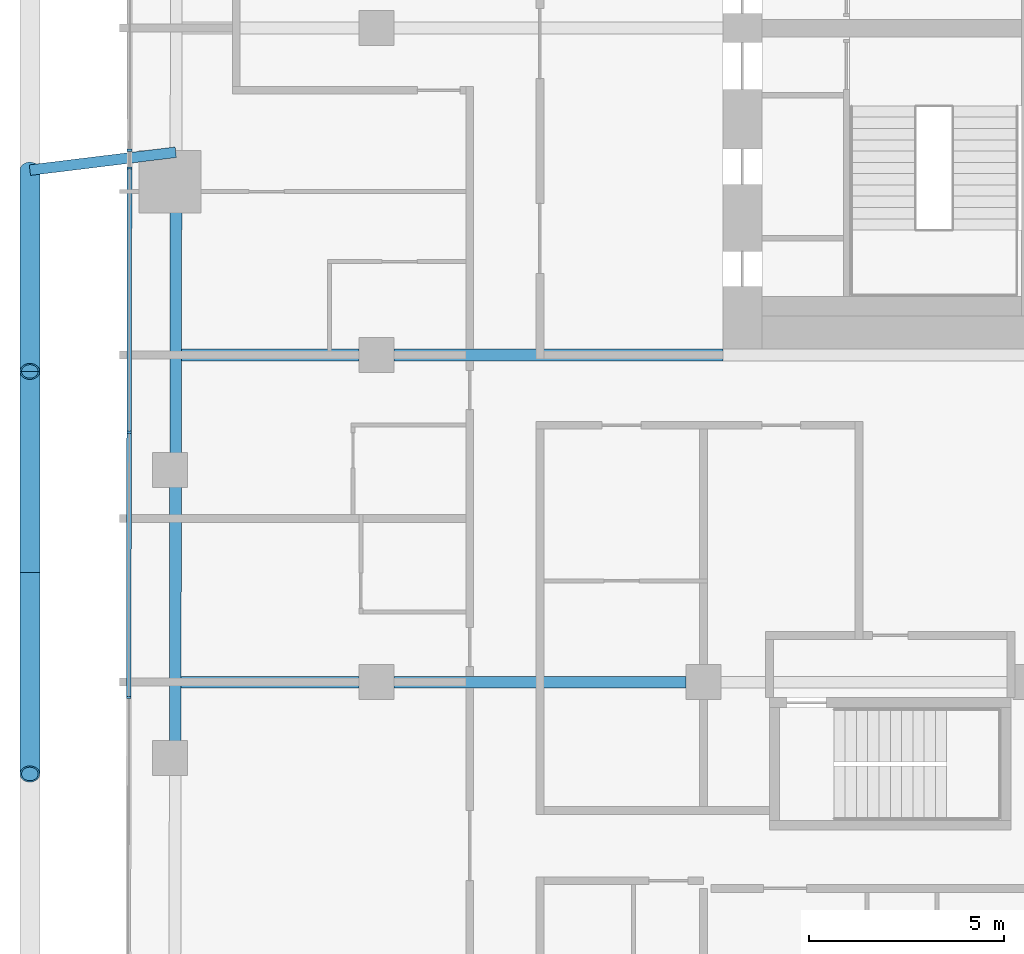
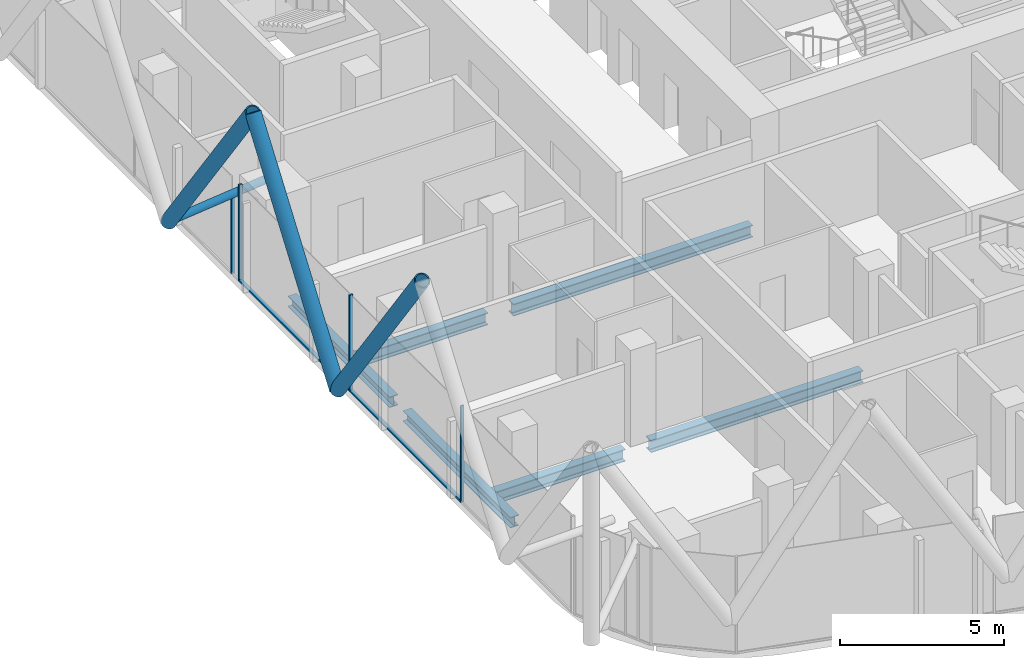
# One storey, part 4 of 36: 10 members, 6 beams, 2 elements without a shape of their own.
"""IFC4 building model written with IfcOpenShell, lengths in metres."""

from ifc_helpers import new_model, si_unit, direction, frame, origin, origin_2d, place, context, subcontext, project, spatial, rectangle, hollow_circle, i_section, extrude, material, layer, layer_set, material_profile, profile_set, type_object, element, aggregate, save


model = new_model("IFC4")

# Units and contexts
model_context = context("Model", 3, precision=1e-05, world=origin(), true_north=direction((0.0, 1.0)))
body_context = subcontext(model_context, "Body", "Model", "MODEL_VIEW")
ifc_project = project(units=[si_unit("LENGTHUNIT", "METRE"), si_unit("AREAUNIT", "SQUARE_METRE"), si_unit("VOLUMEUNIT", "CUBIC_METRE"), si_unit("PLANEANGLEUNIT", "RADIAN"), si_unit("MASSUNIT", "GRAM", prefix="KILO")], contexts=[model_context])

# Site, building, storey
site_placement = place(None, origin())
site = spatial("IfcSite", under=ifc_project, at=site_placement, CompositionType="ELEMENT")
building_placement = place(site_placement, origin())
building = spatial("IfcBuilding", under=site, at=building_placement, Name="Marenta Gate Hotel Tower", CompositionType="ELEMENT")
storey_placement = place(building_placement, frame((0.0, 0.0, 158.89990234375)))
storey = spatial("IfcBuildingStorey", under=building, at=storey_placement, Name="L37", CompositionType="ELEMENT", Elevation=158.89990234375)

# Members
ifc_material_1 = material(Name="Steel S355J2W", Category="steel")
ifc_material_profile_1 = material_profile(ifc_material_1, hollow_circle(Radius=0.25390625, WallThickness=0.0400390625, at=origin_2d()), Name="CHS 508x40")
ifc_profile_set_1 = profile_set([ifc_material_profile_1], Name="Steel S355J2W")
member_type_1 = type_object("IfcMemberType", Name="Diagrid diagonal Z2 CHS 508x40", PredefinedType="BRACE", material=ifc_profile_set_1)
for number, where, z_axis, x_axis, name in (
    (1, (-29.89990234375, -5.590087890625, 3.14013671875), (0.0, -0.583260841117, 0.812284919975), (1.0, 0.0, 0.0), "L37-DG-27"),
    (2, (-29.89990234375, -5.590087890625, 3.14013671875), (0.0, 0.583260841117, 0.812284919975), (-1.0, 0.0, 0.0), "L37-DG-28"),
):
    element("IfcMember", number, at=place(storey_placement, frame(where, z_axis=z_axis, x_axis=x_axis)), inside=storey, type_object=member_type_1, Name=name, PredefinedType="BRACE", context=body_context, shape_type="SweptSolid", body=[
        extrude(hollow_circle(Radius=0.25390625, WallThickness=0.0400390625, at=origin_2d()), origin(), (0.0, 0.0, 1.0), 8.86376953125),
    ])
member_1_placement = place(storey_placement, frame((-29.89990234375, 4.75, 3.14013671875), z_axis=(0.0, -0.583279014058, 0.812271870595), x_axis=(1.0, 0.0, 0.0)))
element("IfcMember", 3, at=member_1_placement, inside=storey, type_object=member_type_1, Name="L37-DG-29", PredefinedType="BRACE", context=body_context, shape_type="SweptSolid", body=[
    extrude(hollow_circle(Radius=0.25390625, WallThickness=0.0400390625, at=origin_2d()), origin(), (0.0, 0.0, 1.0), 8.864013671875),
])

# Beams
ifc_material_2 = material(Name="Steel S355", Category="steel")
ifc_material_profile_2 = material_profile(ifc_material_2, i_section(OverallWidth=0.300048828125, OverallDepth=0.39990234375, WebThickness=0.013427734375, FlangeThickness=0.02392578125, FilletRadius=0.027099609375, at=origin_2d()), Name="HEB 400")
ifc_profile_set_2 = profile_set([ifc_material_profile_2], Name="Steel S355")
beam_type_1 = type_object("IfcBeamType", Name="Edge beam HEB 400", PredefinedType="SPANDREL", material=ifc_profile_set_2)
beam_1_placement = place(storey_placement, frame((-26.167236328125, -9.94189453125, -0.4599609375), z_axis=(0.001372605919, 0.999999057976, 0.0), x_axis=(-0.999999057976, 0.001372605919, 0.0)))
element("IfcBeam", 4, at=beam_1_placement, inside=storey, type_object=beam_type_1, Name="L37-EB-6", PredefinedType="SPANDREL", context=body_context, shape_type="SweptSolid", body=[
    extrude(i_section(OverallWidth=0.300048828125, OverallDepth=0.39990234375, WebThickness=0.013427734375, FlangeThickness=0.02392578125, FilletRadius=0.027099609375, at=origin_2d()), origin(), (0.0, 0.0, 1.0), 6.5810546875),
])
beam_2_placement = place(storey_placement, frame((-26.156982421875, -2.541015625, -0.4599609375), z_axis=(0.001371364591, 0.999999059679, 0.0), x_axis=(-0.999999059679, 0.001371364591, 0.0)))
element("IfcBeam", 5, at=beam_2_placement, inside=storey, type_object=beam_type_1, Name="L37-EB-7", PredefinedType="SPANDREL", context=body_context, shape_type="SweptSolid", body=[
    extrude(i_section(OverallWidth=0.300048828125, OverallDepth=0.39990234375, WebThickness=0.013427734375, FlangeThickness=0.02392578125, FilletRadius=0.027099609375, at=origin_2d()), origin(), (0.0, 0.0, 1.0), 6.23095703125),
])

# Member
ifc_material_3 = material(Name="Steel S355J2W", Category="steel")
ifc_material_profile_3 = material_profile(ifc_material_3, hollow_circle(Radius=0.136474609375, WallThickness=0.012451171875, at=origin_2d()), Name="CHS 273x12.5")
ifc_profile_set_3 = profile_set([ifc_material_profile_3], Name="Steel S355J2W")
member_type_2 = type_object("IfcMemberType", Name="Floor tie CHS 273x12.5", PredefinedType="STRUT", material=ifc_profile_set_3)
member_2_placement = place(storey_placement, frame((-29.89990234375, 4.75, 3.14013671875), z_axis=(0.992572528932, 0.121654325075, 0.0), x_axis=(-0.121654325075, 0.992572528932, 0.0)))
element("IfcMember", 6, at=member_2_placement, inside=storey, type_object=member_type_2, Name="L37-DR-20", PredefinedType="STRUT", context=body_context, shape_type="SweptSolid", body=[
    extrude(hollow_circle(Radius=0.136474609375, WallThickness=0.012451171875, at=origin_2d()), origin(), (0.0, 0.0, 1.0), 3.77490234375),
])

# Beams
ifc_material_4 = material(Name="Steel S355", Category="steel")
ifc_material_profile_4 = material_profile(ifc_material_4, i_section(OverallWidth=0.300048828125, OverallDepth=0.449951171875, WebThickness=0.013916015625, FlangeThickness=0.02587890625, FilletRadius=0.027099609375, at=origin_2d()), Name="HEB 450")
ifc_profile_set_4 = profile_set([ifc_material_profile_4], Name="Steel S355")
beam_type_2 = type_object("IfcBeamType", Name="Girder HEB 450", PredefinedType="BEAM", material=ifc_profile_set_4)
beam_3_placement = place(storey_placement, frame((-26.01513671875, -8.39990234375, -0.48486328125), z_axis=(1.0, 0.0, 0.0), x_axis=(0.0, 1.0, 0.0)))
element("IfcBeam", 7, at=beam_3_placement, inside=storey, type_object=beam_type_2, Name="L37-GD-8", PredefinedType="BEAM", context=body_context, shape_type="SweptSolid", body=[
    extrude(i_section(OverallWidth=0.300048828125, OverallDepth=0.449951171875, WebThickness=0.013916015625, FlangeThickness=0.02587890625, FilletRadius=0.027099609375, at=origin_2d()), origin(), (0.0, 0.0, 1.0), 4.565185546875),
])
beam_4_placement = place(storey_placement, frame((-20.550048828125, -8.39990234375, -0.48486328125), z_axis=(1.0, 0.0, 0.0), x_axis=(0.0, 1.0, 0.0)))
element("IfcBeam", 8, at=beam_4_placement, inside=storey, type_object=beam_type_2, Name="L37-GD-9", PredefinedType="BEAM", context=body_context, shape_type="SweptSolid", body=[
    extrude(i_section(OverallWidth=0.300048828125, OverallDepth=0.449951171875, WebThickness=0.013916015625, FlangeThickness=0.02587890625, FilletRadius=0.027099609375, at=origin_2d()), origin(), (0.0, 0.0, 1.0), 7.5),
])
beam_5_placement = place(storey_placement, frame((-26.003662109375, 0.0, -0.48486328125), z_axis=(1.0, 0.0, 0.0), x_axis=(0.0, 1.0, 0.0)))
element("IfcBeam", 9, at=beam_5_placement, inside=storey, type_object=beam_type_2, Name="L37-GD-15", PredefinedType="BEAM", context=body_context, shape_type="SweptSolid", body=[
    extrude(i_section(OverallWidth=0.300048828125, OverallDepth=0.449951171875, WebThickness=0.013916015625, FlangeThickness=0.02587890625, FilletRadius=0.027099609375, at=origin_2d()), origin(), (0.0, 0.0, 1.0), 4.5537109375),
])
beam_6_placement = place(storey_placement, frame((-20.550048828125, 0.0, -0.48486328125), z_axis=(1.0, 0.0, 0.0), x_axis=(0.0, 1.0, 0.0)))
element("IfcBeam", 10, at=beam_6_placement, inside=storey, type_object=beam_type_2, Name="L37-GD-16", PredefinedType="BEAM", context=body_context, shape_type="SweptSolid", body=[
    extrude(i_section(OverallWidth=0.300048828125, OverallDepth=0.449951171875, WebThickness=0.013916015625, FlangeThickness=0.02587890625, FilletRadius=0.027099609375, at=origin_2d()), origin(), (0.0, 0.0, 1.0), 8.449951171875),
])

# Curtain wall, member
ifc_material_5 = material(Name="Tinted insulated glass in bronze anodised frame", Category="glass")
ifc_layer = layer(ifc_material_5, 0.1201171875)
ifc_layer_set = layer_set([ifc_layer], Name="Tinted insulated glass in bronze anodised frame")
curtain_wall_type = type_object("IfcCurtainWallType", Name="Tower unitised curtain wall CW1", PredefinedType="NOTDEFINED", material=ifc_layer_set)
curtain_wall_1_placement = place(storey_placement, origin())
curtain_wall_1 = element("IfcCurtainWall", 11, at=curtain_wall_1_placement, inside=storey, type_object=curtain_wall_type, Name="CW1 run G07", PredefinedType="NOTDEFINED")
ifc_material_6 = material(Name="Bronze anodised aluminium", Category="aluminium")
ifc_material_profile_5 = material_profile(ifc_material_6, rectangle(XDim=0.1201171875, YDim=0.06005859375, at=origin_2d()), Name="Mullion CW1 60x120 bronze anodised aluminium")
ifc_profile_set_5 = profile_set([ifc_material_profile_5], Name="Bronze anodised aluminium")
member_type_3 = type_object("IfcMemberType", Name="Mullion CW1 60x120 bronze anodised aluminium", PredefinedType="MULLION", material=ifc_profile_set_5)
member_3_placement = place(storey_placement, frame((-27.34033203125, 5.261962890625, 0.0), z_axis=(0.0, 0.0, 1.0), x_axis=(0.999998824335, -0.001533404542, 0.0)))
member_3 = element("IfcMember", 12, at=member_3_placement, type_object=member_type_3, Name="CW1 mullion 1", PredefinedType="MULLION", context=body_context, shape_type="SweptSolid", body=[
    extrude(rectangle(XDim=0.1201171875, YDim=0.06005859375, at=origin_2d()), origin(), (0.0, 0.0, 1.0), 3.00048828125),
])
aggregate(curtain_wall_1, [member_3])

# Curtain wall, members
curtain_wall_2_placement = place(storey_placement, origin())
curtain_wall_2 = element("IfcCurtainWall", 13, at=curtain_wall_2_placement, inside=storey, type_object=curtain_wall_type, Name="CW1 run G08", PredefinedType="NOTDEFINED")
member_4_placement = place(storey_placement, frame((-27.341064453125, 4.805419921875, 0.0), z_axis=(0.0, 0.0, 1.0), x_axis=(0.999998775571, -0.001564882094, 0.0)))
member_4 = element("IfcMember", 14, at=member_4_placement, type_object=member_type_3, Name="CW1 mullion 1", PredefinedType="MULLION", context=body_context, shape_type="SweptSolid", body=[
    extrude(rectangle(XDim=0.1201171875, YDim=0.06005859375, at=origin_2d()), origin(), (0.0, 0.0, 1.0), 3.60009765625),
])
member_5_placement = place(storey_placement, frame((-27.3515625, -1.98095703125, 0.0), z_axis=(0.0, 0.0, 1.0), x_axis=(0.999998775571, -0.001564882094, 0.0)))
member_5 = element("IfcMember", 15, at=member_5_placement, type_object=member_type_3, Name="CW1 mullion 2", PredefinedType="MULLION", context=body_context, shape_type="SweptSolid", body=[
    extrude(rectangle(XDim=0.1201171875, YDim=0.06005859375, at=origin_2d()), origin(), (0.0, 0.0, 1.0), 3.60009765625),
])
member_6_placement = place(storey_placement, frame((-27.3623046875, -8.797119140625, 0.0), z_axis=(0.0, 0.0, 1.0), x_axis=(0.999998775571, -0.001564882094, 0.0)))
member_6 = element("IfcMember", 16, at=member_6_placement, type_object=member_type_3, Name="CW1 mullion 3", PredefinedType="MULLION", context=body_context, shape_type="SweptSolid", body=[
    extrude(rectangle(XDim=0.1201171875, YDim=0.06005859375, at=origin_2d()), origin(), (0.0, 0.0, 1.0), 3.60009765625),
])
ifc_material_7 = material(Name="Bronze anodised aluminium", Category="aluminium")
ifc_material_profile_6 = material_profile(ifc_material_7, rectangle(XDim=0.1201171875, YDim=0.06005859375, at=origin_2d()), Name="Transom CW1 60x120 bronze anodised aluminium")
ifc_profile_set_6 = profile_set([ifc_material_profile_6], Name="Bronze anodised aluminium")
member_type_4 = type_object("IfcMemberType", Name="Transom CW1 60x120 bronze anodised aluminium", PredefinedType="USERDEFINED", material=ifc_profile_set_6)
member_7_placement = place(storey_placement, frame((-27.341064453125, 4.775390625, 0.030029296875), z_axis=(-0.001560739996, -0.999998782045, 0.0), x_axis=(0.999998782045, -0.001560739996, 0.0)))
member_7 = element("IfcMember", 17, at=member_7_placement, type_object=member_type_4, Name="CW1 transom 1.1", ObjectType="TRANSOM", PredefinedType="USERDEFINED", context=body_context, shape_type="SweptSolid", body=[
    extrude(rectangle(XDim=0.1201171875, YDim=0.06005859375, at=origin_2d()), origin(), (0.0, 0.0, 1.0), 6.726318359375),
])
member_8_placement = place(storey_placement, frame((-27.3515625, -2.010986328125, 0.030029296875), z_axis=(-0.001589995461, -0.999998735956, 0.0), x_axis=(0.999998735956, -0.001589995461, 0.0)))
member_8 = element("IfcMember", 18, at=member_8_placement, type_object=member_type_4, Name="CW1 transom 2.1", ObjectType="TRANSOM", PredefinedType="USERDEFINED", context=body_context, shape_type="SweptSolid", body=[
    extrude(rectangle(XDim=0.1201171875, YDim=0.06005859375, at=origin_2d()), origin(), (0.0, 0.0, 1.0), 6.756103515625),
])
aggregate(curtain_wall_2, [member_4, member_5, member_6, member_7, member_8])

save(model, "model.ifc")
